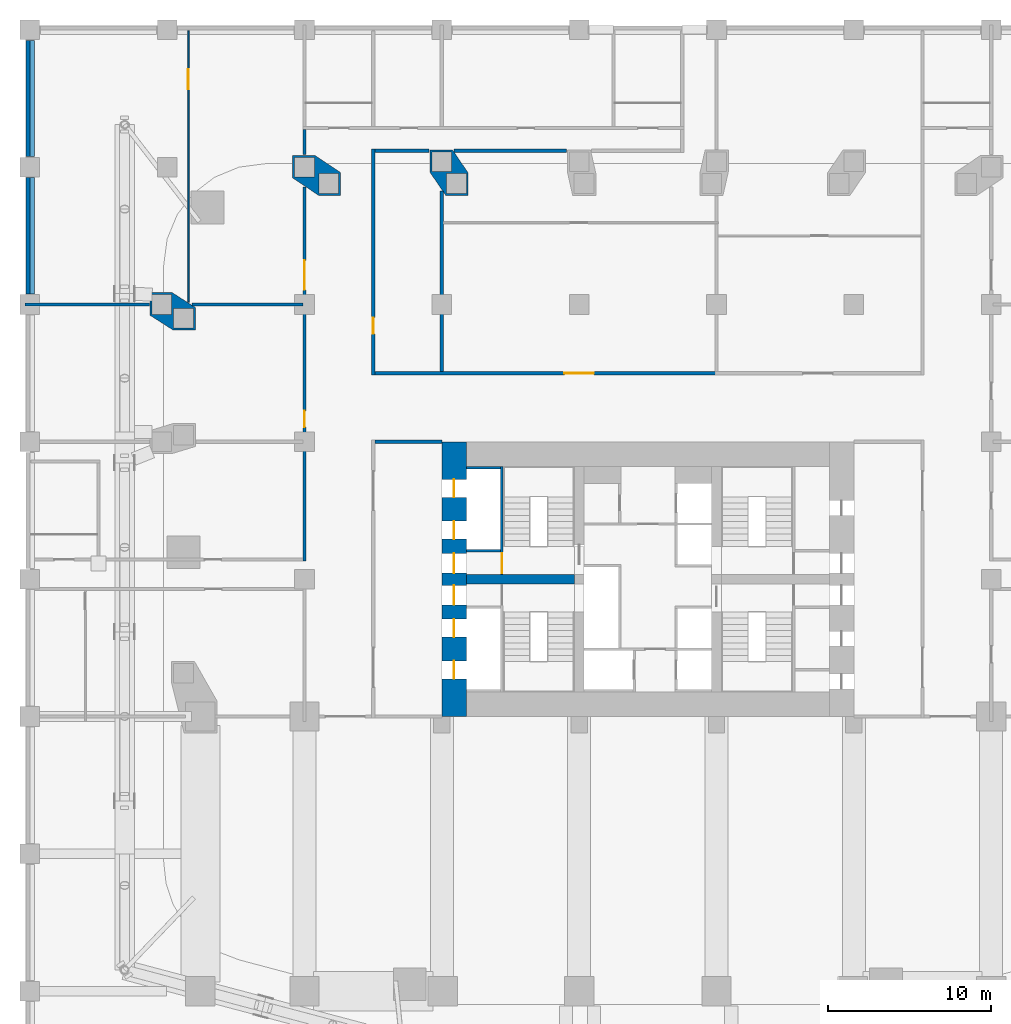
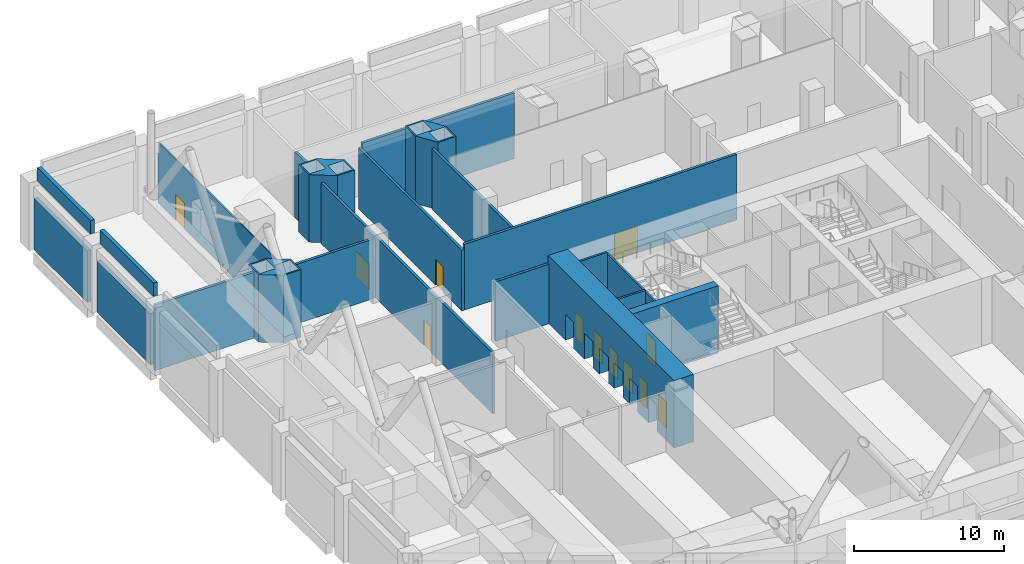
# One storey, part 9 of 17: 23 walls, 12 doors, 12 openings.
"""IFC4 building model written with IfcOpenShell, lengths in metres."""

import ifcopenshell
import ifcopenshell.guid

model = None  # the IFC model being written
_history = None  # IfcOwnerHistory: only IFC2X3 demands one
_inside = {}  # id of a spatial element -> (the spatial element, [elements in it])
_under = {}  # id of a project, library or spatial element -> (it, [spatial elements below it])
_declared = {}  # id of a project -> (the project, [libraries it declares])
_typed = {}  # id of a type object -> (the type object, [elements of that type])
_made_of = {}  # id of a material, layer set ... -> (it, [elements and type objects made of it])


def new_model(schema):
    """Start an empty IFC model of exactly this schema.

    Asked for "IFC4X3", IfcOpenShell would pick the latest addendum, in which some entities
    have other attributes; the version numbers below select the first issue.
    IFC2X3 requires an IfcOwnerHistory on every rooted entity: one is made here for all.
    """
    global model, _history
    if schema == "IFC4X3":
        model = ifcopenshell.file(schema_version=(4, 3, 0, 0))
    else:
        model = ifcopenshell.file(schema=schema)
    _inside.clear()
    _under.clear()
    _declared.clear()
    _typed.clear()
    _made_of.clear()
    _history = None
    if model.schema == "IFC2X3":
        org = make("IfcOrganization", Name="unknown")
        user = make(
            "IfcPersonAndOrganization",
            ThePerson=make("IfcPerson", FamilyName="unknown"),
            TheOrganization=org,
        )
        app = make(
            "IfcApplication",
            ApplicationDeveloper=org,
            Version="unknown",
            ApplicationFullName="unknown",
            ApplicationIdentifier="unknown",
        )
        _history = make(
            "IfcOwnerHistory",
            OwningUser=user,
            OwningApplication=app,
            ChangeAction="ADDED",
            CreationDate=0,
        )
    return model


def make(cls, **values):
    """One entity of the class cls with the attributes given. An attribute that is None is left unset."""
    return model.create_entity(
        cls, **{name: value for name, value in values.items() if value is not None}
    )


def rooted(cls, **values):
    """An entity with a GlobalId (a new one), such as an element, a storey or a relation."""
    return make(cls, GlobalId=ifcopenshell.guid.new(), OwnerHistory=_history, **values)


def si_unit(unit_type, name, prefix=None):
    """IfcSIUnit, for example si_unit("LENGTHUNIT", "METRE", prefix="MILLI")."""
    return make("IfcSIUnit", UnitType=unit_type, Prefix=prefix, Name=name)


def assignment(units):
    """IfcUnitAssignment: the units of a project."""
    return None if units is None else make("IfcUnitAssignment", Units=units)


def point(xyz):
    """IfcCartesianPoint."""
    return None if xyz is None else make("IfcCartesianPoint", Coordinates=xyz)


def direction(xyz):
    """IfcDirection."""
    return None if xyz is None else make("IfcDirection", DirectionRatios=xyz)


def frame(location, z_axis=None, x_axis=None):
    """IfcAxis2Placement3D, a coordinate frame: its origin and axes. An axis left out is left unset."""
    return make(
        "IfcAxis2Placement3D",
        Location=point(location),
        Axis=direction(z_axis),
        RefDirection=direction(x_axis),
    )


def frame_2d(location, x_axis=None):
    """IfcAxis2Placement2D, a coordinate frame in the plane: its origin and x axis."""
    return make(
        "IfcAxis2Placement2D", Location=point(location), RefDirection=direction(x_axis)
    )


def origin():
    """The frame at (0, 0, 0) with its axes left unset."""
    return frame((0.0, 0.0, 0.0))


def place(relative_to, where):
    """IfcLocalPlacement: puts the frame where relative to a parent placement (None: the world)."""
    return make(
        "IfcLocalPlacement", PlacementRelTo=relative_to, RelativePlacement=where
    )


def context(
    kind, dimensions, precision=None, world=None, true_north=None, identifier=None
):
    """IfcGeometricRepresentationContext, for example the 3D "Model" context."""
    return make(
        "IfcGeometricRepresentationContext",
        ContextIdentifier=identifier,
        ContextType=kind,
        CoordinateSpaceDimension=dimensions,
        Precision=precision,
        WorldCoordinateSystem=world,
        TrueNorth=true_north,
    )


def subcontext(parent, identifier, kind, view, scale=None):
    """IfcGeometricRepresentationSubContext, for example "Body" below "Model"."""
    return make(
        "IfcGeometricRepresentationSubContext",
        ContextIdentifier=identifier,
        ContextType=kind,
        ParentContext=parent,
        TargetScale=scale,
        TargetView=view,
    )


def project(units=None, contexts=None):
    """IfcProject with its units and contexts."""
    return rooted(
        "IfcProject",
        Name="project",
        RepresentationContexts=contexts,
        UnitsInContext=assignment(units),
    )


def spatial(cls, under=None, at=None, **own):
    """A site, building, storey or space (cls), placed at a placement, below another one or the project."""
    s = rooted(cls, ObjectPlacement=at, **own)
    if under is not None:
        _under.setdefault(under.id(), (under, []))[1].append(s)
    return s


def polyline(points):
    """IfcPolyline through the points."""
    return make("IfcPolyline", Points=[point(p) for p in points])


def profile(cls, at=None, kind="AREA", **sizes):
    """A parametric profile (cls). Its sizes go by their IFC names, for example OverallWidth=200.0."""
    return make(cls, ProfileType=kind, Position=at, **sizes)


def rectangle(**sizes):
    """IfcRectangleProfileDef."""
    return profile("IfcRectangleProfileDef", **sizes)


def outline(outer, holes=None, kind="AREA"):
    """IfcArbitraryClosedProfileDef: a profile drawn as a closed curve; with holes, ...WithVoids."""
    if holes is None:
        return make("IfcArbitraryClosedProfileDef", ProfileType=kind, OuterCurve=outer)
    return make(
        "IfcArbitraryProfileDefWithVoids",
        ProfileType=kind,
        OuterCurve=outer,
        InnerCurves=holes,
    )


def extrude(swept, where, along, depth):
    """IfcExtrudedAreaSolid: the profile swept, set in the frame where, extruded along a direction by depth."""
    return make(
        "IfcExtrudedAreaSolid",
        SweptArea=swept,
        Position=where,
        ExtrudedDirection=direction(along),
        Depth=depth,
    )


def shape(context_of_items, identifier, shape_type, items):
    """IfcShapeRepresentation: the items that make up one representation, for example the "Body"."""
    return make(
        "IfcShapeRepresentation",
        ContextOfItems=context_of_items,
        RepresentationIdentifier=identifier,
        RepresentationType=shape_type,
        Items=items,
    )


def material(Name=None, Category=None):
    """IfcMaterial."""
    return make("IfcMaterial", Name=Name, Category=Category)


def layer(
    of_material, thickness, ventilated=None, Name=None, Category=None, Priority=None
):
    """IfcMaterialLayer: one layer of a wall or slab, of a material (None: an air gap)."""
    return make(
        "IfcMaterialLayer",
        Material=of_material,
        LayerThickness=thickness,
        IsVentilated=ventilated,
        Name=Name,
        Category=Category,
        Priority=Priority,
    )


def layer_set(layers, Name=None):
    """IfcMaterialLayerSet."""
    return make("IfcMaterialLayerSet", MaterialLayers=layers, LayerSetName=Name)


def made_of(thing, what):
    """Note that an element or type object is made of a material, layer set ...; save() writes the relation."""
    if what is not None:
        _made_of.setdefault(what.id(), (what, []))[1].append(thing)
    return thing


def type_object(cls, material=None, **own):
    """A type object (cls), such as IfcWallType, which elements share."""
    return made_of(rooted(cls, **own), material)


def element(
    cls,
    number,
    at=None,
    inside=None,
    cuts=None,
    type_object=None,
    material=None,
    context=None,
    identifier="Body",
    shape_type=None,
    held_by="IfcProductDefinitionShape",
    body=None,
    shapes=None,
    **own,
):
    """One element of the class cls, such as IfcWall. Its Tag is "e" and its number.

    at: its placement. inside: the storey or other place that contains it. cuts: it is an
    opening in that element (IfcRelVoidsElement). A single representation is given by context,
    identifier, shape_type and body (its items); several are given by shapes. held_by: the class
    of the entity that holds the representations. save() writes the other relations.
    """
    e = rooted(cls, Tag="e%d" % number, ObjectPlacement=at, **own)
    if body is not None:
        shapes = [shape(context, identifier, shape_type, body)]
    if shapes is not None:
        e.Representation = make(held_by, Representations=shapes)
    if inside is not None:
        _inside.setdefault(inside.id(), (inside, []))[1].append(e)
    if cuts is not None:
        rooted(
            "IfcRelVoidsElement", RelatingBuildingElement=cuts, RelatedOpeningElement=e
        )
    if type_object is not None:
        _typed.setdefault(type_object.id(), (type_object, []))[1].append(e)
    return made_of(e, material)


def fill(opening, filler):
    """IfcRelFillsElement: the door or window that sits in an opening."""
    return rooted(
        "IfcRelFillsElement",
        RelatingOpeningElement=opening,
        RelatedBuildingElement=filler,
    )


def aggregate(whole, parts):
    """IfcRelAggregates: a whole, such as a stair, and the parts it consists of."""
    return rooted("IfcRelAggregates", RelatingObject=whole, RelatedObjects=parts)


def save(model, path):
    """Write the relations noted so far, then the file.

    IfcRelAggregates (storeys below a building ...), IfcRelContainedInSpatialStructure (elements
    in a storey), IfcRelDefinesByType, IfcRelAssociatesMaterial and IfcRelDeclares: one each for
    every whole, place, type object, material and project.
    """
    for whole, parts in _under.values():
        aggregate(whole, parts)
    for where, things in _inside.values():
        rooted(
            "IfcRelContainedInSpatialStructure",
            RelatedElements=things,
            RelatingStructure=where,
        )
    for kind, things in _typed.values():
        rooted("IfcRelDefinesByType", RelatedObjects=things, RelatingType=kind)
    for what, things in _made_of.values():
        rooted("IfcRelAssociatesMaterial", RelatedObjects=things, RelatingMaterial=what)
    for by, libraries in _declared.values():
        rooted("IfcRelDeclares", RelatingContext=by, RelatedDefinitions=libraries)
    model.write(path)


model = new_model("IFC4")

# Units and contexts
model_context = context("Model", 3, precision=1e-05, world=origin(), true_north=direction((0.0, 1.0)))
body_context = subcontext(model_context, "Body", "Model", "MODEL_VIEW")
ifc_project = project(units=[si_unit("LENGTHUNIT", "METRE"), si_unit("AREAUNIT", "SQUARE_METRE"), si_unit("VOLUMEUNIT", "CUBIC_METRE"), si_unit("PLANEANGLEUNIT", "RADIAN"), si_unit("MASSUNIT", "GRAM", prefix="KILO")], contexts=[model_context])

# Site, building, storey
site_placement = place(None, origin())
site = spatial("IfcSite", under=ifc_project, at=site_placement, CompositionType="ELEMENT")
building_placement = place(site_placement, origin())
building = spatial("IfcBuilding", under=site, at=building_placement, Name="Marenta Gate Hotel Tower", CompositionType="ELEMENT")
storey_placement = place(building_placement, frame((0.0, 0.0, 31.0)))
storey = spatial("IfcBuildingStorey", under=building, at=storey_placement, Name="L05", CompositionType="ELEMENT", Elevation=31.0)

# Walls
ifc_material_1 = material(Name="Concrete C40 board-marked", Category="concrete")
ifc_layer_1 = layer(ifc_material_1, 0.300048828125)
ifc_layer_set_1 = layer_set([ifc_layer_1], Name="Concrete C40 board-marked")
wall_type_1 = type_object("IfcWallType", Name="Board-marked concrete wall 300 mm", PredefinedType="NOTDEFINED", material=ifc_layer_set_1)
wall_1_placement = place(storey_placement, frame((-37.889892578125, 41.360107421875, 0.0), z_axis=(0.0, 0.0, 1.0), x_axis=(0.0, -1.0, 0.0)))
element("IfcWall", 1, at=wall_1_placement, inside=storey, type_object=wall_type_1, Name="L05-CLD-P-W000", PredefinedType="NOTDEFINED", context=body_context, shape_type="SweptSolid", body=[
    extrude(rectangle(XDim=7.1201171875, YDim=0.300048828125, at=frame_2d((3.56005859375, 0.0))), origin(), (0.0, 0.0, 1.0), 4.179931640625),
])
wall_2_placement = place(storey_placement, frame((-37.889892578125, 32.9599609375, 0.0), z_axis=(0.0, 0.0, 1.0), x_axis=(0.0, -1.0, 0.0)))
element("IfcWall", 2, at=wall_2_placement, inside=storey, type_object=wall_type_1, Name="L05-CLD-P-W001", PredefinedType="NOTDEFINED", context=body_context, shape_type="SweptSolid", body=[
    extrude(rectangle(XDim=7.119873046875, YDim=0.300048828125, at=frame_2d((3.56005859375, 0.0))), origin(), (0.0, 0.0, 1.0), 4.179931640625),
])
ifc_material_2 = material(Name="Concrete blockwork", Category="masonry")
ifc_layer_2 = layer(ifc_material_2, 0.199951171875)
ifc_layer_set_2 = layer_set([ifc_layer_2], Name="Concrete blockwork")
wall_type_2 = type_object("IfcWallType", Name="Core boundary wall 200 REI 180", PredefinedType="PARTITIONING", material=ifc_layer_set_2)
wall_3_placement = place(storey_placement, frame((-16.699951171875, 16.800048828125, 0.0), z_axis=(0.0, 0.0, 1.0), x_axis=(1.0, 0.0, 0.0)))
element("IfcWall", 3, at=wall_3_placement, inside=storey, type_object=wall_type_2, Name="L05-CP-EW-WN", PredefinedType="PARTITIONING", context=body_context, shape_type="SweptSolid", body=[
    extrude(rectangle(XDim=4.099853515625, YDim=0.199951171875, at=frame_2d((2.0498046875, 0.0))), origin(), (0.0, 0.0, 1.0), 4.85009765625),
])
ifc_material_3 = material(Name="Concrete C40", Category="concrete")
ifc_layer_3 = layer(ifc_material_3, 0.14990234375)
ifc_layer_set_3 = layer_set([ifc_layer_3], Name="Concrete C40")
wall_type_3 = type_object("IfcWallType", Name="Core shaft wall 150 REI 180", PredefinedType="SHEAR", material=ifc_layer_set_3)
for number, where, z_axis, x_axis, name in (
    (4, (-11.10009765625, 10.125, 0.0), (0.0, 0.0, 1.0), (1.0, 0.0, 0.0), "L05-SHF-SW-WN-2"),
    (5, (-11.10009765625, 15.22509765625, 0.0), (0.0, 0.0, 1.0), (1.0, 0.0, 0.0), "L05-SHF-SW-WN-5"),
):
    element("IfcWall", number, at=place(storey_placement, frame(where, z_axis=z_axis, x_axis=x_axis)), inside=storey, type_object=wall_type_3, Name=name, PredefinedType="SHEAR", context=body_context, shape_type="SweptSolid", body=[
        extrude(rectangle(XDim=2.10009765625, YDim=0.14990234375, at=frame_2d((1.050048828125, 0.0))), origin(), (0.0, 0.0, 1.0), 5.5),
    ])

# Wall, opening, door
ifc_material_4 = material(Name="Concrete C40", Category="concrete")
ifc_layer_4 = layer(ifc_material_4, 0.14990234375)
ifc_layer_set_4 = layer_set([ifc_layer_4], Name="Concrete C40")
wall_type_4 = type_object("IfcWallType", Name="Core stair enclosure wall 150 REI 180", PredefinedType="SHEAR", material=ifc_layer_set_4)
wall_4_placement = place(storey_placement, frame((-8.925048828125, 8.699951171875, 0.0), z_axis=(0.0, 0.0, 1.0), x_axis=(0.0, 1.0, 0.0)))
wall_4 = element("IfcWall", 6, at=wall_4_placement, inside=storey, type_object=wall_type_4, Name="L05-SHF-SW-WN-3", PredefinedType="SHEAR", context=body_context, shape_type="SweptSolid", body=[
    extrude(rectangle(XDim=6.60009765625, YDim=0.14990234375, at=frame_2d((3.300048828125, 0.0))), origin(), (0.0, 0.0, 1.0), 5.35009765625),
])
opening_1_placement = place(wall_4_placement, frame((0.074951171875, 0.0, 0.0)))
opening_1 = element("IfcOpeningElement", 7, at=opening_1_placement, cuts=wall_4, Name="Opening SD-WN", PredefinedType="OPENING", context=body_context, shape_type="SweptSolid", body=[
    extrude(rectangle(XDim=1.199951171875, YDim=2.10009765625, at=frame_2d((0.60009765625, 1.050048828125))), frame((0.0, 0.074951171875, 0.0), z_axis=(0.0, -1.0, 0.0), x_axis=(1.0, 0.0, 0.0)), (0.0, 0.0, 1.0), 0.14990234375),
])
ifc_material_5 = material(Name="Steel", Category="steel")
door_type_1 = type_object("IfcDoorType", Name="Core stair door 1200x2100 FD60", OperationType="SINGLE_SWING_LEFT", PredefinedType="DOOR", material=ifc_material_5)
door_1_placement = place(opening_1_placement, origin())
door_1 = element("IfcDoor", 8, at=door_1_placement, inside=storey, type_object=door_type_1, Name="SD-WN", OperationType="SINGLE_SWING_LEFT", OverallHeight=2.10009765625, OverallWidth=1.199951171875, PredefinedType="DOOR", context=body_context, shape_type="SweptSolid", body=[
    extrude(rectangle(XDim=1.199951171875, YDim=2.10009765625, at=frame_2d((0.60009765625, 1.050048828125))), frame((0.0, 0.02490234375, 0.0), z_axis=(0.0, -1.0, 0.0), x_axis=(1.0, 0.0, 0.0)), (0.0, 0.0, 1.0), 0.050048828125),
])
fill(opening_1, door_1)

# Wall, openings, doors
ifc_material_6 = material(Name="Concrete C80", Category="concrete")
ifc_layer_5 = layer(ifc_material_6, 1.5)
ifc_layer_set_5 = layer_set([ifc_layer_5], Name="Concrete C80")
wall_type_5 = type_object("IfcWallType", Name="Core wall 1500 C80", PredefinedType="SHEAR", material=ifc_layer_set_5)
wall_5_placement = place(storey_placement, frame((-11.85009765625, 0.0, 0.0), z_axis=(0.0, 0.0, 1.0), x_axis=(0.0, 1.0, 0.0)))
wall_5 = element("IfcWall", 9, at=wall_5_placement, inside=storey, type_object=wall_type_5, Name="L05-CORE-W", PredefinedType="SHEAR", context=body_context, shape_type="SweptSolid", body=[
    extrude(rectangle(XDim=16.800048828125, YDim=1.5, at=frame_2d((8.39990234375, 0.0))), origin(), (0.0, 0.0, 1.0), 5.5),
])
opening_2_placement = place(wall_5_placement, frame((2.300048828125, 0.0, 0.0)))
opening_2 = element("IfcOpeningElement", 10, at=opening_2_placement, cuts=wall_5, Name="Opening LD-LR1", PredefinedType="OPENING", context=body_context, shape_type="SweptSolid", body=[
    extrude(rectangle(XDim=1.10009765625, YDim=2.10009765625, at=frame_2d((0.550048828125, 1.050048828125))), frame((0.0, 0.75, 0.0), z_axis=(0.0, -1.0, 0.0), x_axis=(1.0, 0.0, 0.0)), (0.0, 0.0, 1.0), 1.5),
])
opening_3_placement = place(wall_5_placement, frame((4.85009765625, 0.0, 0.0)))
opening_3 = element("IfcOpeningElement", 11, at=opening_3_placement, cuts=wall_5, Name="Opening LD-LR2", PredefinedType="OPENING", context=body_context, shape_type="SweptSolid", body=[
    extrude(rectangle(XDim=1.10009765625, YDim=2.10009765625, at=frame_2d((0.550048828125, 1.050048828125))), frame((0.0, 0.75, 0.0), z_axis=(0.0, -1.0, 0.0), x_axis=(1.0, 0.0, 0.0)), (0.0, 0.0, 1.0), 1.5),
])
opening_4_placement = place(wall_5_placement, frame((6.824951171875, 0.0, 0.0)))
opening_4 = element("IfcOpeningElement", 12, at=opening_4_placement, cuts=wall_5, Name="Opening PD-WS", PredefinedType="OPENING", context=body_context, shape_type="SweptSolid", body=[
    extrude(rectangle(XDim=1.199951171875, YDim=2.10009765625, at=frame_2d((0.60009765625, 1.050048828125))), frame((0.0, 0.75, 0.0), z_axis=(0.0, -1.0, 0.0), x_axis=(1.0, 0.0, 0.0)), (0.0, 0.0, 1.0), 1.5),
])
opening_5_placement = place(wall_5_placement, frame((13.39990234375, 0.0, 0.0)))
opening_5 = element("IfcOpeningElement", 13, at=opening_5_placement, cuts=wall_5, Name="Opening LD-LR4", PredefinedType="OPENING", context=body_context, shape_type="SweptSolid", body=[
    extrude(rectangle(XDim=1.10009765625, YDim=2.10009765625, at=frame_2d((0.550048828125, 1.050048828125))), frame((0.0, 0.75, 0.0), z_axis=(0.0, -1.0, 0.0), x_axis=(1.0, 0.0, 0.0)), (0.0, 0.0, 1.0), 1.5),
])
opening_6_placement = place(wall_5_placement, frame((10.85009765625, 0.0, 0.0)))
opening_6 = element("IfcOpeningElement", 14, at=opening_6_placement, cuts=wall_5, Name="Opening LD-LR3", PredefinedType="OPENING", context=body_context, shape_type="SweptSolid", body=[
    extrude(rectangle(XDim=1.10009765625, YDim=2.10009765625, at=frame_2d((0.550048828125, 1.050048828125))), frame((0.0, 0.75, 0.0), z_axis=(0.0, -1.0, 0.0), x_axis=(1.0, 0.0, 0.0)), (0.0, 0.0, 1.0), 1.5),
])
opening_7_placement = place(wall_5_placement, frame((8.77490234375, 0.0, 0.0)))
opening_7 = element("IfcOpeningElement", 15, at=opening_7_placement, cuts=wall_5, Name="Opening PD-WN", PredefinedType="OPENING", context=body_context, shape_type="SweptSolid", body=[
    extrude(rectangle(XDim=1.199951171875, YDim=2.10009765625, at=frame_2d((0.60009765625, 1.050048828125))), frame((0.0, 0.75, 0.0), z_axis=(0.0, -1.0, 0.0), x_axis=(1.0, 0.0, 0.0)), (0.0, 0.0, 1.0), 1.5),
])
ifc_material_7 = material(Name="Steel", Category="steel")
door_type_2 = type_object("IfcDoorType", Name="Core lift landing door 1100x2100 E 60", OperationType="SLIDING_TO_LEFT", PredefinedType="DOOR", material=ifc_material_7)
door_2_placement = place(opening_2_placement, origin())
door_2 = element("IfcDoor", 16, at=door_2_placement, inside=storey, type_object=door_type_2, Name="LD-LR1", OperationType="SLIDING_TO_LEFT", OverallHeight=2.10009765625, OverallWidth=1.10009765625, PredefinedType="DOOR", context=body_context, shape_type="SweptSolid", body=[
    extrude(rectangle(XDim=1.10009765625, YDim=2.10009765625, at=frame_2d((0.550048828125, 1.050048828125))), frame((0.0, 0.02490234375, 0.0), z_axis=(0.0, -1.0, 0.0), x_axis=(1.0, 0.0, 0.0)), (0.0, 0.0, 1.0), 0.050048828125),
])
fill(opening_2, door_2)
door_3_placement = place(opening_3_placement, origin())
door_3 = element("IfcDoor", 17, at=door_3_placement, inside=storey, type_object=door_type_2, Name="LD-LR2", OperationType="SLIDING_TO_LEFT", OverallHeight=2.10009765625, OverallWidth=1.10009765625, PredefinedType="DOOR", context=body_context, shape_type="SweptSolid", body=[
    extrude(rectangle(XDim=1.10009765625, YDim=2.10009765625, at=frame_2d((0.550048828125, 1.050048828125))), frame((0.0, 0.02490234375, 0.0), z_axis=(0.0, -1.0, 0.0), x_axis=(1.0, 0.0, 0.0)), (0.0, 0.0, 1.0), 0.050048828125),
])
fill(opening_3, door_3)
door_4_placement = place(opening_5_placement, origin())
door_4 = element("IfcDoor", 18, at=door_4_placement, inside=storey, type_object=door_type_2, Name="LD-LR4", OperationType="SLIDING_TO_LEFT", OverallHeight=2.10009765625, OverallWidth=1.10009765625, PredefinedType="DOOR", context=body_context, shape_type="SweptSolid", body=[
    extrude(rectangle(XDim=1.10009765625, YDim=2.10009765625, at=frame_2d((0.550048828125, 1.050048828125))), frame((0.0, 0.02490234375, 0.0), z_axis=(0.0, -1.0, 0.0), x_axis=(1.0, 0.0, 0.0)), (0.0, 0.0, 1.0), 0.050048828125),
])
fill(opening_5, door_4)
door_5_placement = place(opening_6_placement, origin())
door_5 = element("IfcDoor", 19, at=door_5_placement, inside=storey, type_object=door_type_2, Name="LD-LR3", OperationType="SLIDING_TO_LEFT", OverallHeight=2.10009765625, OverallWidth=1.10009765625, PredefinedType="DOOR", context=body_context, shape_type="SweptSolid", body=[
    extrude(rectangle(XDim=1.10009765625, YDim=2.10009765625, at=frame_2d((0.550048828125, 1.050048828125))), frame((0.0, 0.02490234375, 0.0), z_axis=(0.0, -1.0, 0.0), x_axis=(1.0, 0.0, 0.0)), (0.0, 0.0, 1.0), 0.050048828125),
])
fill(opening_6, door_5)
ifc_material_8 = material(Name="Steel", Category="steel")
door_type_3 = type_object("IfcDoorType", Name="Core lobby door 1200x2100 FD60", OperationType="SINGLE_SWING_LEFT", PredefinedType="DOOR", material=ifc_material_8)
door_6_placement = place(opening_4_placement, origin())
door_6 = element("IfcDoor", 20, at=door_6_placement, inside=storey, type_object=door_type_3, Name="PD-WS", OperationType="SINGLE_SWING_LEFT", OverallHeight=2.10009765625, OverallWidth=1.199951171875, PredefinedType="DOOR", context=body_context, shape_type="SweptSolid", body=[
    extrude(rectangle(XDim=1.199951171875, YDim=2.10009765625, at=frame_2d((0.60009765625, 1.050048828125))), frame((0.0, 0.02490234375, 0.0), z_axis=(0.0, -1.0, 0.0), x_axis=(1.0, 0.0, 0.0)), (0.0, 0.0, 1.0), 0.050048828125),
])
fill(opening_4, door_6)
door_7_placement = place(opening_7_placement, origin())
door_7 = element("IfcDoor", 21, at=door_7_placement, inside=storey, type_object=door_type_3, Name="PD-WN", OperationType="SINGLE_SWING_LEFT", OverallHeight=2.10009765625, OverallWidth=1.199951171875, PredefinedType="DOOR", context=body_context, shape_type="SweptSolid", body=[
    extrude(rectangle(XDim=1.199951171875, YDim=2.10009765625, at=frame_2d((0.60009765625, 1.050048828125))), frame((0.0, 0.02490234375, 0.0), z_axis=(0.0, -1.0, 0.0), x_axis=(1.0, 0.0, 0.0)), (0.0, 0.0, 1.0), 0.050048828125),
])
fill(opening_7, door_7)

# Walls
ifc_material_9 = material(Name="Concrete C80", Category="concrete")
ifc_layer_6 = layer(ifc_material_9, 0.60009765625)
ifc_layer_set_6 = layer_set([ifc_layer_6], Name="Concrete C80")
wall_type_6 = type_object("IfcWallType", Name="Core web 600 C80", PredefinedType="SHEAR", material=ifc_layer_set_6)
wall_6_placement = place(storey_placement, frame((-11.10009765625, 8.39990234375, 0.0), z_axis=(0.0, 0.0, 1.0), x_axis=(1.0, 0.0, 0.0)))
element("IfcWall", 22, at=wall_6_placement, inside=storey, type_object=wall_type_6, Name="L05-CORE-W3", PredefinedType="SHEAR", context=body_context, shape_type="SweptSolid", body=[
    extrude(rectangle(XDim=6.60009765625, YDim=0.60009765625, at=frame_2d((3.300048828125, 0.0))), origin(), (0.0, 0.0, 1.0), 5.5),
])
ifc_material_10 = material(Name="Concrete C40 board-marked", Category="concrete")
ifc_layer_7 = layer(ifc_material_10, 0.300048828125)
ifc_layer_set_7 = layer_set([ifc_layer_7], Name="Concrete C40 board-marked")
wall_type_7 = type_object("IfcWallType", Name="Parapet 300 mm board-marked concrete", PredefinedType="PARAPET", material=ifc_layer_set_7)
wall_7_placement = place(storey_placement, frame((-37.64990234375, 25.840087890625, 5.5), z_axis=(0.0, 0.0, 1.0), x_axis=(0.0, 1.0, 0.0)))
element("IfcWall", 23, at=wall_7_placement, inside=storey, type_object=wall_type_7, Name="L05-PAR-00006", PredefinedType="PARAPET", context=body_context, shape_type="SweptSolid", body=[
    extrude(rectangle(XDim=7.119873046875, YDim=0.300048828125, at=frame_2d((3.56005859375, 0.0))), origin(), (0.0, 0.0, 1.0), 1.10009765625),
])
wall_8_placement = place(storey_placement, frame((-37.64990234375, 34.239990234375, 5.5), z_axis=(0.0, 0.0, 1.0), x_axis=(0.0, 1.0, 0.0)))
element("IfcWall", 24, at=wall_8_placement, inside=storey, type_object=wall_type_7, Name="L05-PAR-00007", PredefinedType="PARAPET", context=body_context, shape_type="SweptSolid", body=[
    extrude(rectangle(XDim=7.1201171875, YDim=0.300048828125, at=frame_2d((3.56005859375, 0.0))), origin(), (0.0, 0.0, 1.0), 1.10009765625),
])
ifc_material_11 = material(Name="Concrete C70", Category="concrete")
ifc_layer_8 = layer(ifc_material_11, 1.60009765625)
ifc_layer_set_8 = layer_set([ifc_layer_8], Name="Concrete C70")
wall_type_8 = type_object("IfcWallType", Name="Pier wall board-marked concrete C70", PredefinedType="SOLIDWALL", material=ifc_layer_set_8)
wall_9_placement = place(storey_placement, origin())
element("IfcWall", 25, at=wall_9_placement, inside=storey, type_object=wall_type_8, Name="L05-PIER-3", PredefinedType="SOLIDWALL", context=body_context, shape_type="SweptSolid", body=[
    extrude(outline(polyline([(-30.43994140625, 24.5341796875), (-30.43994140625, 25.919921875), (-29.0849609375, 25.919921875), (-27.679931640625, 25.022216796875), (-27.679931640625, 23.636474609375), (-29.03515625, 23.636474609375), (-30.43994140625, 24.5341796875)]), holes=[polyline([(-29.0, 23.75634765625), (-27.800048828125, 23.75634765625), (-27.800048828125, 24.956298828125), (-29.0, 24.956298828125), (-29.0, 23.75634765625)]), polyline([(-30.320068359375, 24.60009765625), (-29.1201171875, 24.60009765625), (-29.1201171875, 25.800048828125), (-30.320068359375, 25.800048828125), (-30.320068359375, 24.60009765625)])]), origin(), (0.0, 0.0, 1.0), 5.5),
])
wall_10_placement = place(storey_placement, origin())
element("IfcWall", 26, at=wall_10_placement, inside=storey, type_object=wall_type_8, Name="L05-PIER-4", PredefinedType="SOLIDWALL", context=body_context, shape_type="SweptSolid", body=[
    extrude(outline(polyline([(-21.719970703125, 34.320068359375), (-20.363525390625, 34.320068359375), (-18.786865234375, 33.26416015625), (-18.786865234375, 31.8798828125), (-20.143310546875, 31.8798828125), (-21.719970703125, 32.93603515625), (-21.719970703125, 34.320068359375)]), holes=[polyline([(-18.906982421875, 32.0), (-18.906982421875, 33.199951171875), (-20.10693359375, 33.199951171875), (-20.10693359375, 32.0), (-18.906982421875, 32.0)]), polyline([(-20.39990234375, 33.0), (-20.39990234375, 34.199951171875), (-21.60009765625, 34.199951171875), (-21.60009765625, 33.0), (-20.39990234375, 33.0)])]), origin(), (0.0, 0.0, 1.0), 5.5),
])
wall_11_placement = place(storey_placement, origin())
element("IfcWall", 27, at=wall_11_placement, inside=storey, type_object=wall_type_8, Name="L05-PIER-5", PredefinedType="SOLIDWALL", context=body_context, shape_type="SweptSolid", body=[
    extrude(outline(polyline([(-13.320068359375, 34.639892578125), (-11.9365234375, 34.639892578125), (-10.984130859375, 33.23681640625), (-10.984130859375, 31.8798828125), (-12.36767578125, 31.8798828125), (-13.320068359375, 33.283203125), (-13.320068359375, 34.639892578125)]), holes=[polyline([(-11.10400390625, 32.0), (-11.10400390625, 33.199951171875), (-12.30419921875, 33.199951171875), (-12.30419921875, 32.0), (-11.10400390625, 32.0)]), polyline([(-12.0, 33.320068359375), (-12.0, 34.52001953125), (-13.199951171875, 34.52001953125), (-13.199951171875, 33.320068359375), (-12.0, 33.320068359375)])]), origin(), (0.0, 0.0, 1.0), 5.5),
])

# Wall, openings, doors
ifc_material_12 = material(Name="Concrete blockwork", Category="masonry")
ifc_layer_9 = layer(ifc_material_12, 0.199951171875)
ifc_layer_set_9 = layer_set([ifc_layer_9], Name="Concrete blockwork")
wall_type_9 = type_object("IfcWallType", Name="Room corridor wall 200 EI 120", PredefinedType="PARTITIONING", material=ifc_layer_set_9)
wall_12_placement = place(storey_placement, frame((-21.0, 9.5, 0.0), z_axis=(0.0, 0.0, 1.0), x_axis=(0.0, 1.0, 0.0)))
wall_12 = element("IfcWall", 28, at=wall_12_placement, inside=storey, type_object=wall_type_9, Name="L05-PTN-W048", PredefinedType="PARTITIONING", context=body_context, shape_type="SweptSolid", body=[
    extrude(rectangle(XDim=22.89404296875, YDim=0.199951171875, at=frame_2d((11.447021484375, 0.0))), origin(), (0.0, 0.0, 1.0), 4.949951171875),
])
opening_8_placement = place(wall_12_placement, frame((8.199951171875, 0.0, 0.0)))
opening_8 = element("IfcOpeningElement", 29, at=opening_8_placement, cuts=wall_12, Name="Opening S06-06", PredefinedType="OPENING", context=body_context, shape_type="SweptSolid", body=[
    extrude(rectangle(XDim=1.0, YDim=2.10009765625, at=frame_2d((0.5, 1.050048828125))), frame((0.0, 0.10009765625, 0.0), z_axis=(0.0, -1.0, 0.0), x_axis=(1.0, 0.0, 0.0)), (0.0, 0.0, 1.0), 0.199951171875),
])
opening_9_placement = place(wall_12_placement, frame((16.596923828125, 0.0, 0.0)))
opening_9 = element("IfcOpeningElement", 30, at=opening_9_placement, cuts=wall_12, Name="Opening S06-07", PredefinedType="OPENING", context=body_context, shape_type="SweptSolid", body=[
    extrude(rectangle(XDim=1.800048828125, YDim=2.10009765625, at=frame_2d((0.89990234375, 1.050048828125))), frame((0.0, 0.10009765625, 0.0), z_axis=(0.0, -1.0, 0.0), x_axis=(1.0, 0.0, 0.0)), (0.0, 0.0, 1.0), 0.199951171875),
])
ifc_material_13 = material(Name="Timber door leaf", Category="wood")
door_type_4 = type_object("IfcDoorType", Name="Room amenity door 1000x2100 EI 60", OperationType="NOTDEFINED", PredefinedType="DOOR", material=ifc_material_13)
door_8_placement = place(opening_8_placement, origin())
door_8 = element("IfcDoor", 31, at=door_8_placement, inside=storey, type_object=door_type_4, Name="L05-PD-D006", OperationType="SINGLE_SWING_RIGHT", OverallHeight=2.10009765625, OverallWidth=1.0, PredefinedType="DOOR", context=body_context, shape_type="SweptSolid", body=[
    extrude(rectangle(XDim=1.0, YDim=2.10009765625, at=frame_2d((0.5, 1.050048828125))), frame((0.0, 0.02490234375, 0.0), z_axis=(0.0, -1.0, 0.0), x_axis=(1.0, 0.0, 0.0)), (0.0, 0.0, 1.0), 0.050048828125),
])
fill(opening_8, door_8)
ifc_material_14 = material(Name="Timber door leaf", Category="wood")
door_type_5 = type_object("IfcDoorType", Name="Room amenity door 1800x2100 EI 60", OperationType="DOUBLE_DOOR_SINGLE_SWING", PredefinedType="DOOR", material=ifc_material_14)
door_9_placement = place(opening_9_placement, origin())
door_9 = element("IfcDoor", 32, at=door_9_placement, inside=storey, type_object=door_type_5, Name="L05-PD-D007", OperationType="DOUBLE_DOOR_SINGLE_SWING", OverallHeight=2.10009765625, OverallWidth=1.800048828125, PredefinedType="DOOR", context=body_context, shape_type="SweptSolid", body=[
    extrude(rectangle(XDim=1.800048828125, YDim=2.10009765625, at=frame_2d((0.89990234375, 1.050048828125))), frame((0.0, 0.02490234375, 0.0), z_axis=(0.0, -1.0, 0.0), x_axis=(1.0, 0.0, 0.0)), (0.0, 0.0, 1.0), 0.050048828125),
])
fill(opening_9, door_9)

# Wall, opening, door
ifc_material_15 = material(Name="Gypsum board on steel stud", Category="steel")
ifc_layer_10 = layer(ifc_material_15, 0.199951171875)
ifc_layer_set_10 = layer_set([ifc_layer_10], Name="Gypsum board on steel stud")
wall_type_10 = type_object("IfcWallType", Name="Room corridor wall 200 EI 60", PredefinedType="PARTITIONING", material=ifc_layer_set_10)
wall_13_placement = place(storey_placement, frame((-16.800048828125, 20.89990234375, 0.0), z_axis=(0.0, 0.0, 1.0), x_axis=(0.0, 1.0, 0.0)))
wall_13 = element("IfcWall", 33, at=wall_13_placement, inside=storey, type_object=wall_type_10, Name="L05-PTN-W041", PredefinedType="PARTITIONING", context=body_context, shape_type="SweptSolid", body=[
    extrude(rectangle(XDim=13.800048828125, YDim=0.199951171875, at=frame_2d((6.89990234375, 0.0))), origin(), (0.0, 0.0, 1.0), 4.949951171875),
])
opening_10_placement = place(wall_13_placement, frame((2.5, 0.0, 0.0)))
opening_10 = element("IfcOpeningElement", 34, at=opening_10_placement, cuts=wall_13, Name="Opening S06-18", PredefinedType="OPENING", context=body_context, shape_type="SweptSolid", body=[
    extrude(rectangle(XDim=1.0, YDim=2.10009765625, at=frame_2d((0.5, 1.050048828125))), frame((0.0, 0.10009765625, 0.0), z_axis=(0.0, -1.0, 0.0), x_axis=(1.0, 0.0, 0.0)), (0.0, 0.0, 1.0), 0.199951171875),
])
ifc_material_16 = material(Name="Hollow steel door set", Category="steel")
door_type_6 = type_object("IfcDoorType", Name="Plant room door 1000x2100 EI 30", OperationType="NOTDEFINED", PredefinedType="DOOR", material=ifc_material_16)
door_10_placement = place(opening_10_placement, origin())
door_10 = element("IfcDoor", 35, at=door_10_placement, inside=storey, type_object=door_type_6, Name="L05-PD-D018", OperationType="SINGLE_SWING_LEFT", OverallHeight=2.10009765625, OverallWidth=1.0, PredefinedType="DOOR", context=body_context, shape_type="SweptSolid", body=[
    extrude(rectangle(XDim=1.0, YDim=2.10009765625, at=frame_2d((0.5, 1.050048828125))), frame((0.0, 0.02490234375, 0.0), z_axis=(0.0, -1.0, 0.0), x_axis=(1.0, 0.0, 0.0)), (0.0, 0.0, 1.0), 0.050048828125),
])
fill(opening_10, door_10)

# Wall
wall_14_placement = place(storey_placement, frame((-21.0, 34.3701171875, 0.0), z_axis=(0.0, 0.0, 1.0), x_axis=(0.0, 1.0, 0.0)))
element("IfcWall", 36, at=wall_14_placement, inside=storey, type_object=wall_type_10, Name="L05-PTN-W049", PredefinedType="PARTITIONING", context=body_context, shape_type="SweptSolid", body=[
    extrude(rectangle(XDim=1.52978515625, YDim=0.199951171875, at=frame_2d((0.764892578125, 0.0))), origin(), (0.0, 0.0, 1.0), 5.35009765625),
])

# Wall, opening, door
wall_15_placement = place(storey_placement, frame((-16.699951171875, 21.0, 0.0), z_axis=(0.0, 0.0, 1.0), x_axis=(1.0, 0.0, 0.0)))
wall_15 = element("IfcWall", 37, at=wall_15_placement, inside=storey, type_object=wall_type_10, Name="L05-PTN-W051", PredefinedType="PARTITIONING", context=body_context, shape_type="SweptSolid", body=[
    extrude(rectangle(XDim=21.0, YDim=0.199951171875, at=frame_2d((10.5, 0.0))), origin(), (0.0, 0.0, 1.0), 5.35009765625),
])
opening_11_placement = place(wall_15_placement, frame((11.60009765625, 0.0, 0.0)))
opening_11 = element("IfcOpeningElement", 38, at=opening_11_placement, cuts=wall_15, Name="Opening S06-20", PredefinedType="OPENING", context=body_context, shape_type="SweptSolid", body=[
    extrude(rectangle(XDim=1.800048828125, YDim=2.10009765625, at=frame_2d((0.89990234375, 1.050048828125))), frame((0.0, 0.10009765625, 0.0), z_axis=(0.0, -1.0, 0.0), x_axis=(1.0, 0.0, 0.0)), (0.0, 0.0, 1.0), 0.199951171875),
])
ifc_material_17 = material(Name="Hollow steel door set", Category="steel")
door_type_7 = type_object("IfcDoorType", Name="Plant room door 1800x2100 EI 30", OperationType="DOUBLE_DOOR_SINGLE_SWING", PredefinedType="DOOR", material=ifc_material_17)
door_11_placement = place(opening_11_placement, origin())
door_11 = element("IfcDoor", 39, at=door_11_placement, inside=storey, type_object=door_type_7, Name="L05-PD-D020", OperationType="DOUBLE_DOOR_SINGLE_SWING", OverallHeight=2.10009765625, OverallWidth=1.800048828125, PredefinedType="DOOR", context=body_context, shape_type="SweptSolid", body=[
    extrude(rectangle(XDim=1.800048828125, YDim=2.10009765625, at=frame_2d((0.89990234375, 1.050048828125))), frame((0.0, 0.02490234375, 0.0), z_axis=(0.0, -1.0, 0.0), x_axis=(1.0, 0.0, 0.0)), (0.0, 0.0, 1.0), 0.050048828125),
])
fill(opening_11, door_11)

# Walls
ifc_material_18 = material(Name="Concrete blockwork", Category="masonry")
ifc_layer_11 = layer(ifc_material_18, 0.199951171875)
ifc_layer_set_11 = layer_set([ifc_layer_11], Name="Concrete blockwork")
wall_type_11 = type_object("IfcWallType", Name="Room corridor wall 200 REI 180", PredefinedType="PARTITIONING", material=ifc_layer_set_11)
wall_16_placement = place(storey_placement, frame((-16.699951171875, 34.60009765625, 0.0), z_axis=(0.0, 0.0, 1.0), x_axis=(1.0, 0.0, 0.0)))
element("IfcWall", 40, at=wall_16_placement, inside=storey, type_object=wall_type_11, Name="L05-PTN-W066", PredefinedType="PARTITIONING", context=body_context, shape_type="SweptSolid", body=[
    extrude(rectangle(XDim=3.329833984375, YDim=0.199951171875, at=frame_2d((1.6650390625, 0.0))), origin(), (0.0, 0.0, 1.0), 5.35009765625),
])
wall_17_placement = place(storey_placement, frame((-11.84912109375, 34.60009765625, 0.0), z_axis=(0.0, 0.0, 1.0), x_axis=(1.0, 0.0, 0.0)))
element("IfcWall", 41, at=wall_17_placement, inside=storey, type_object=wall_type_11, Name="L05-PTN-W067", PredefinedType="PARTITIONING", context=body_context, shape_type="SweptSolid", body=[
    extrude(rectangle(XDim=6.879150390625, YDim=0.199951171875, at=frame_2d((3.439453125, 0.0))), origin(), (0.0, 0.0, 1.0), 5.35009765625),
])

# Wall, opening, door
ifc_material_19 = material(Name="Gypsum board on steel stud", Category="steel")
ifc_layer_12 = layer(ifc_material_19, 0.10009765625)
ifc_layer_set_12 = layer_set([ifc_layer_12], Name="Gypsum board on steel stud")
wall_type_12 = type_object("IfcWallType", Name="Room partition 100", PredefinedType="PARTITIONING", material=ifc_layer_set_12)
wall_18_placement = place(storey_placement, frame((-28.10009765625, 25.35009765625, 0.0), z_axis=(0.0, 0.0, 1.0), x_axis=(0.0, 1.0, 0.0)))
wall_18 = element("IfcWall", 42, at=wall_18_placement, inside=storey, type_object=wall_type_12, Name="L05-PTN-W057", PredefinedType="PARTITIONING", context=body_context, shape_type="SweptSolid", body=[
    extrude(rectangle(XDim=16.58984375, YDim=0.10009765625, at=frame_2d((8.294921875, 0.0))), origin(), (0.0, 0.0, 1.0), 4.949951171875),
])
opening_12_placement = place(wall_18_placement, frame((13.02490234375, 0.0, 0.0)))
opening_12 = element("IfcOpeningElement", 43, at=opening_12_placement, cuts=wall_18, Name="Opening S06-08", PredefinedType="OPENING", context=body_context, shape_type="SweptSolid", body=[
    extrude(rectangle(XDim=1.199951171875, YDim=2.10009765625, at=frame_2d((0.60009765625, 1.050048828125))), frame((0.0, 0.050048828125, 0.0), z_axis=(0.0, -1.0, 0.0), x_axis=(1.0, 0.0, 0.0)), (0.0, 0.0, 1.0), 0.10009765625),
])
ifc_material_20 = material(Name="Hollow steel door set", Category="steel")
door_type_8 = type_object("IfcDoorType", Name="Kitchen room door 1200x2100", OperationType="NOTDEFINED", PredefinedType="DOOR", material=ifc_material_20)
door_12_placement = place(opening_12_placement, origin())
door_12 = element("IfcDoor", 44, at=door_12_placement, inside=storey, type_object=door_type_8, Name="L05-PD-D008", OperationType="SINGLE_SWING_RIGHT", OverallHeight=2.10009765625, OverallWidth=1.199951171875, PredefinedType="DOOR", context=body_context, shape_type="SweptSolid", body=[
    extrude(rectangle(XDim=1.199951171875, YDim=2.10009765625, at=frame_2d((0.60009765625, 1.050048828125))), frame((0.0, 0.02490234375, 0.0), z_axis=(0.0, -1.0, 0.0), x_axis=(1.0, 0.0, 0.0)), (0.0, 0.0, 1.0), 0.050048828125),
])
fill(opening_12, door_12)

# Walls
ifc_material_21 = material(Name="Concrete blockwork", Category="masonry")
ifc_layer_13 = layer(ifc_material_21, 0.199951171875)
ifc_layer_set_13 = layer_set([ifc_layer_13], Name="Concrete blockwork")
wall_type_13 = type_object("IfcWallType", Name="Room party wall 200 EI 120", PredefinedType="PARTITIONING", material=ifc_layer_set_13)
wall_19_placement = place(storey_placement, frame((-38.10009765625, 25.199951171875, 0.0), z_axis=(0.0, 0.0, 1.0), x_axis=(1.0, 0.0, 0.0)))
element("IfcWall", 45, at=wall_19_placement, inside=storey, type_object=wall_type_13, Name="L05-PTN-W053", PredefinedType="PARTITIONING", context=body_context, shape_type="SweptSolid", body=[
    extrude(rectangle(XDim=7.610107421875, YDim=0.199951171875, at=frame_2d((3.80517578125, 0.0))), origin(), (0.0, 0.0, 1.0), 5.35009765625),
])
ifc_material_22 = material(Name="Gypsum board on steel stud", Category="steel")
ifc_layer_14 = layer(ifc_material_22, 0.199951171875)
ifc_layer_set_14 = layer_set([ifc_layer_14], Name="Gypsum board on steel stud")
wall_type_14 = type_object("IfcWallType", Name="Room party wall 200 EI 60", PredefinedType="PARTITIONING", material=ifc_layer_set_14)
wall_20_placement = place(storey_placement, frame((-12.60009765625, 21.10009765625, 0.0), z_axis=(0.0, 0.0, 1.0), x_axis=(0.0, 1.0, 0.0)))
element("IfcWall", 46, at=wall_20_placement, inside=storey, type_object=wall_type_14, Name="L05-PTN-W037", PredefinedType="PARTITIONING", context=body_context, shape_type="SweptSolid", body=[
    extrude(rectangle(XDim=11.032958984375, YDim=0.199951171875, at=frame_2d((5.5166015625, 0.0))), origin(), (0.0, 0.0, 1.0), 4.949951171875),
])
wall_21_placement = place(storey_placement, frame((-27.864990234375, 25.199951171875, 0.0), z_axis=(0.0, 0.0, 1.0), x_axis=(1.0, 0.0, 0.0)))
element("IfcWall", 47, at=wall_21_placement, inside=storey, type_object=wall_type_14, Name="L05-PTN-W054", PredefinedType="PARTITIONING", context=body_context, shape_type="SweptSolid", body=[
    extrude(rectangle(XDim=6.764892578125, YDim=0.199951171875, at=frame_2d((3.38232421875, 0.0))), origin(), (0.0, 0.0, 1.0), 4.85009765625),
])

save(model, "model.ifc")
